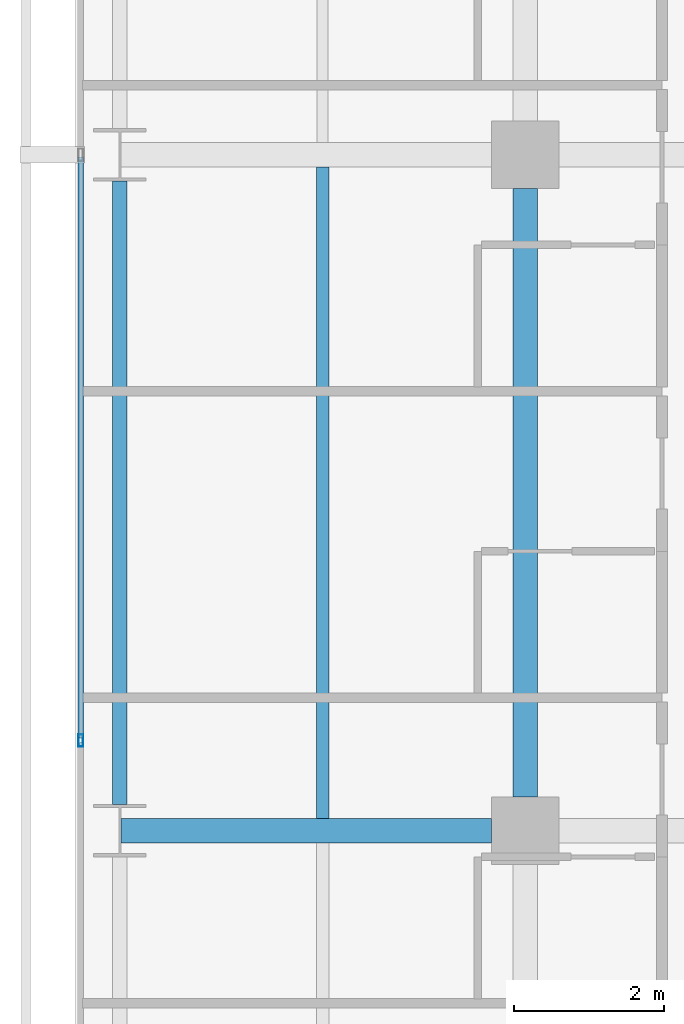
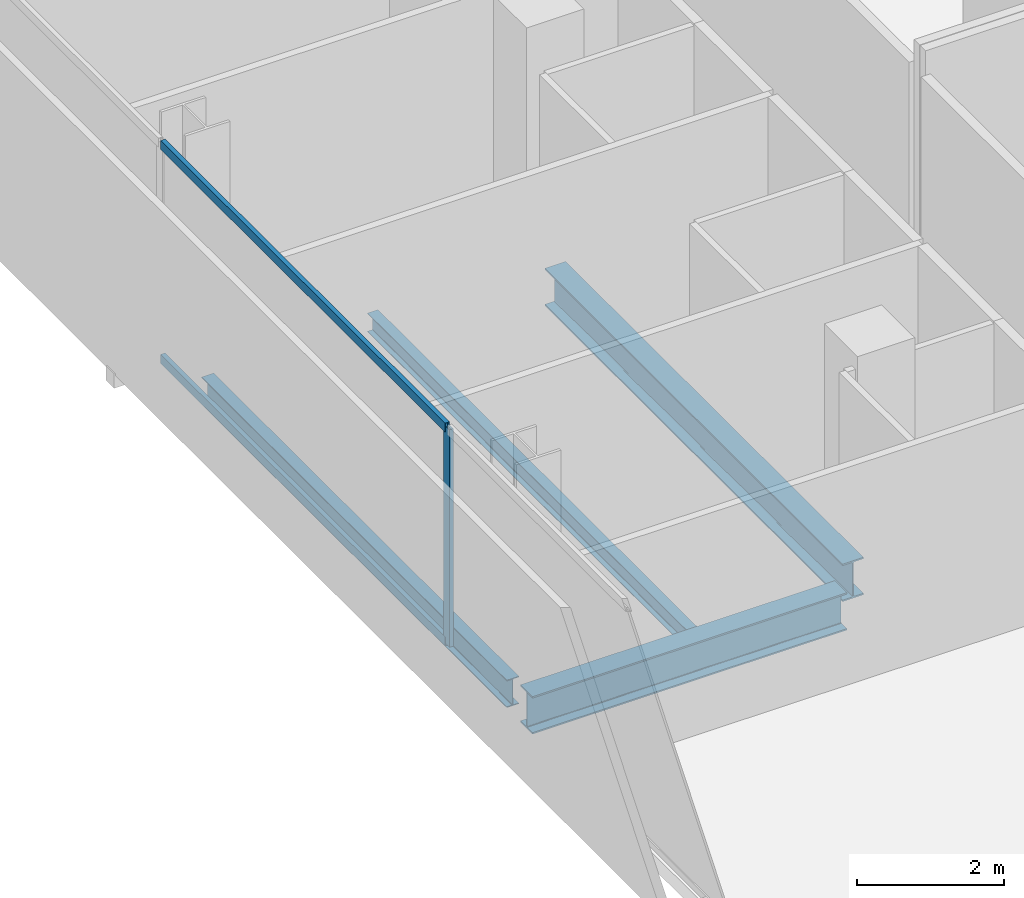
# One storey, part 10 of 40: 4 beams, 3 members, 1 element without a shape of its own.
"""IFC4 building model written with IfcOpenShell, lengths in metres."""

from ifc_helpers import new_model, si_unit, direction, frame, origin, origin_2d, place, context, subcontext, project, spatial, hollow_rectangle, i_section, extrude, material, layer, layer_set, material_profile, profile_set, type_object, element, aggregate, save


model = new_model("IFC4")

# Units and contexts
model_context = context("Model", 3, precision=1e-05, world=origin(), true_north=direction((0.0, 1.0)))
body_context = subcontext(model_context, "Body", "Model", "MODEL_VIEW")
ifc_project = project(units=[si_unit("LENGTHUNIT", "METRE"), si_unit("AREAUNIT", "SQUARE_METRE"), si_unit("VOLUMEUNIT", "CUBIC_METRE"), si_unit("PLANEANGLEUNIT", "RADIAN"), si_unit("MASSUNIT", "GRAM", prefix="KILO")], contexts=[model_context])

# Site, building, storey
site_placement = place(None, origin())
site = spatial("IfcSite", under=ifc_project, at=site_placement, CompositionType="ELEMENT")
building_placement = place(site_placement, origin())
building = spatial("IfcBuilding", under=site, at=building_placement, Name="Maruvema Waterfront Hotel and Observation Tower", CompositionType="ELEMENT")
storey_placement = place(building_placement, frame((0.0, 0.0, 57.75)))
storey = spatial("IfcBuildingStorey", under=building, at=storey_placement, Name="L13", CompositionType="ELEMENT", Elevation=57.75)

# Curtain wall, members
ifc_material_1 = material(Name="Anodised bronze aluminium and solar-control low-E IGU", Category="aluminium")
ifc_layer = layer(ifc_material_1, 0.159912109375, Name="Zone 1 Bronze Inner Thermal Curtain Wall System CW-02")
ifc_layer_set = layer_set([ifc_layer], Name="Anodised bronze aluminium and solar-control low-E IGU")
curtain_wall_type = type_object("IfcCurtainWallType", Name="Zone 1 Bronze Inner Thermal Curtain Wall System CW-02", PredefinedType="USERDEFINED", material=ifc_layer_set)
curtain_wall_placement = place(storey_placement, origin())
curtain_wall = element("IfcCurtainWall", 1, at=curtain_wall_placement, inside=storey, type_object=curtain_wall_type, Name="L13 Curtain Wall CW-L13-W", ObjectType="UNITISED CURTAIN WALL", PredefinedType="USERDEFINED")
ifc_material_2 = material(Name="Anodised architectural bronze aluminium", Category="aluminium")
ifc_material_profile_1 = material_profile(ifc_material_2, hollow_rectangle(XDim=0.070068359375, YDim=0.14990234375, WallThickness=0.00390625, at=origin_2d()), Name="ALU-T70x150")
ifc_profile_set_1 = profile_set([ifc_material_profile_1], Name="Anodised architectural bronze aluminium")
member_type_1 = type_object("IfcMemberType", Name="Curtain Wall Horizontal Transom ALU-T70x150", PredefinedType="USERDEFINED", material=ifc_profile_set_1)
member_1_placement = place(storey_placement, frame((10.8798828125, 26.969970703125, 0.030029296875), z_axis=(0.0, -1.0, 0.0), x_axis=(1.0, 0.0, 0.0)))
member_1 = element("IfcMember", 2, at=member_1_placement, type_object=member_type_1, Name="CW-02 transom 4.1", ObjectType="TRANSOM", PredefinedType="USERDEFINED", context=body_context, shape_type="SweptSolid", body=[
    extrude(hollow_rectangle(XDim=0.070068359375, YDim=0.14990234375, WallThickness=0.00390625, at=origin_2d()), origin(), (0.0, 0.0, 1.0), 7.739990234375),
])
member_2_placement = place(storey_placement, frame((10.8798828125, 26.969970703125, 3.580078125), z_axis=(0.0, -1.0, 0.0), x_axis=(1.0, 0.0, 0.0)))
member_2 = element("IfcMember", 3, at=member_2_placement, type_object=member_type_1, Name="CW-02 transom 4.2", ObjectType="TRANSOM", PredefinedType="USERDEFINED", context=body_context, shape_type="SweptSolid", body=[
    extrude(hollow_rectangle(XDim=0.070068359375, YDim=0.14990234375, WallThickness=0.00390625, at=origin_2d()), origin(), (0.0, 0.0, 1.0), 7.739990234375),
])
ifc_material_3 = material(Name="Anodised architectural bronze aluminium", Category="aluminium")
ifc_material_profile_2 = material_profile(ifc_material_3, hollow_rectangle(XDim=0.06494140625, YDim=0.1650390625, WallThickness=0.00390625, at=origin_2d()), Name="ALU-M65x165")
ifc_profile_set_2 = profile_set([ifc_material_profile_2], Name="Anodised architectural bronze aluminium")
member_type_2 = type_object("IfcMemberType", Name="Curtain Wall Primary Mullion ALU-M65x165", PredefinedType="MULLION", material=ifc_profile_set_2)
member_3_placement = place(storey_placement, frame((10.8798828125, 19.199951171875, 0.0), z_axis=(0.0, 0.0, 1.0), x_axis=(1.0, 0.0, 0.0)))
member_3 = element("IfcMember", 4, at=member_3_placement, type_object=member_type_2, Name="CW-02 mullion 5", PredefinedType="MULLION", context=body_context, shape_type="SweptSolid", body=[
    extrude(hollow_rectangle(XDim=0.06494140625, YDim=0.1650390625, WallThickness=0.00390625, at=origin_2d()), origin(), (0.0, 0.0, 1.0), 3.610107421875),
])
aggregate(curtain_wall, [member_3, member_1, member_2])

# Beams
ifc_material_4 = material(Name="Steel ASTM A572 Grade 50", Category="steel")
ifc_material_profile_3 = material_profile(ifc_material_4, i_section(OverallWidth=0.18994140625, OverallDepth=0.45703125, WebThickness=0.009033203125, FlangeThickness=0.014404296875, FilletRadius=0.014892578125, at=origin_2d()), Name="W460x74.0")
ifc_profile_set_3 = profile_set([ifc_material_profile_3], Name="Steel ASTM A572 Grade 50")
beam_type_1 = type_object("IfcBeamType", Name="Perimeter Spandrel Beam W460x74.0", PredefinedType="SPANDREL", material=ifc_profile_set_3)
beam_1_placement = place(storey_placement, frame((11.39990234375, 18.35009765625, -0.468505859375), z_axis=(0.0, 1.0, 0.0), x_axis=(-1.0, 0.0, 0.0)))
element("IfcBeam", 5, at=beam_1_placement, inside=storey, type_object=beam_type_1, Name="L13 Floor Girder NS-02", PredefinedType="SPANDREL", context=body_context, shape_type="SweptSolid", body=[
    extrude(i_section(OverallWidth=0.18994140625, OverallDepth=0.45703125, WebThickness=0.009033203125, FlangeThickness=0.014404296875, FilletRadius=0.014892578125, at=origin_2d()), origin(), (0.0, 0.0, 1.0), 8.2998046875),
])
ifc_material_5 = material(Name="Steel ASTM A572 Grade 50", Category="steel")
ifc_material_profile_4 = material_profile(ifc_material_5, i_section(OverallWidth=0.326904296875, OverallDepth=0.6220703125, WebThickness=0.015380859375, FlangeThickness=0.0244140625, FilletRadius=0.01806640625, at=origin_2d()), Name="W610x195.0")
ifc_profile_set_4 = profile_set([ifc_material_profile_4], Name="Steel ASTM A572 Grade 50")
beam_type_2 = type_object("IfcBeamType", Name="Primary Floor Girder W610x195.0", PredefinedType="BEAM", material=ifc_profile_set_4)
beam_2_placement = place(storey_placement, frame((11.4140625, 18.0, -0.551025390625), z_axis=(1.0, 0.0, 0.0), x_axis=(0.0, 1.0, 0.0)))
element("IfcBeam", 6, at=beam_2_placement, inside=storey, type_object=beam_type_2, Name="L13 Floor Girder EW-13", PredefinedType="BEAM", context=body_context, shape_type="SweptSolid", body=[
    extrude(i_section(OverallWidth=0.326904296875, OverallDepth=0.6220703125, WebThickness=0.015380859375, FlangeThickness=0.0244140625, FilletRadius=0.01806640625, at=origin_2d()), origin(), (0.0, 0.0, 1.0), 4.93603515625),
])
beam_3_placement = place(storey_placement, frame((16.800048828125, 18.449951171875, -0.551025390625), z_axis=(0.0, 1.0, 0.0), x_axis=(-1.0, 0.0, 0.0)))
element("IfcBeam", 7, at=beam_3_placement, inside=storey, type_object=beam_type_2, Name="L13 Floor Girder NS-07", PredefinedType="BEAM", context=body_context, shape_type="SweptSolid", body=[
    extrude(i_section(OverallWidth=0.326904296875, OverallDepth=0.6220703125, WebThickness=0.015380859375, FlangeThickness=0.0244140625, FilletRadius=0.01806640625, at=origin_2d()), origin(), (0.0, 0.0, 1.0), 8.10009765625),
])
ifc_material_6 = material(Name="Steel ASTM A572 Grade 50", Category="steel")
ifc_material_profile_5 = material_profile(ifc_material_6, i_section(OverallWidth=0.1650390625, OverallDepth=0.31005859375, WebThickness=0.005859375, FlangeThickness=0.009765625, FilletRadius=0.012939453125, at=origin_2d()), Name="W310x38.7")
ifc_profile_set_5 = profile_set([ifc_material_profile_5], Name="Steel ASTM A572 Grade 50")
beam_type_3 = type_object("IfcBeamType", Name="Secondary Floor Joist W310x38.7", PredefinedType="JOIST", material=ifc_profile_set_5)
beam_4_placement = place(storey_placement, frame((14.10009765625, 18.16357421875, -0.39501953125), z_axis=(0.0, 1.0, 0.0), x_axis=(-1.0, 0.0, 0.0)))
element("IfcBeam", 8, at=beam_4_placement, inside=storey, type_object=beam_type_3, Name="L13 Secondary Floor Joist JS-02", PredefinedType="JOIST", context=body_context, shape_type="SweptSolid", body=[
    extrude(i_section(OverallWidth=0.1650390625, OverallDepth=0.31005859375, WebThickness=0.005859375, FlangeThickness=0.009765625, FilletRadius=0.012939453125, at=origin_2d()), origin(), (0.0, 0.0, 1.0), 8.6728515625),
])

save(model, "model.ifc")
